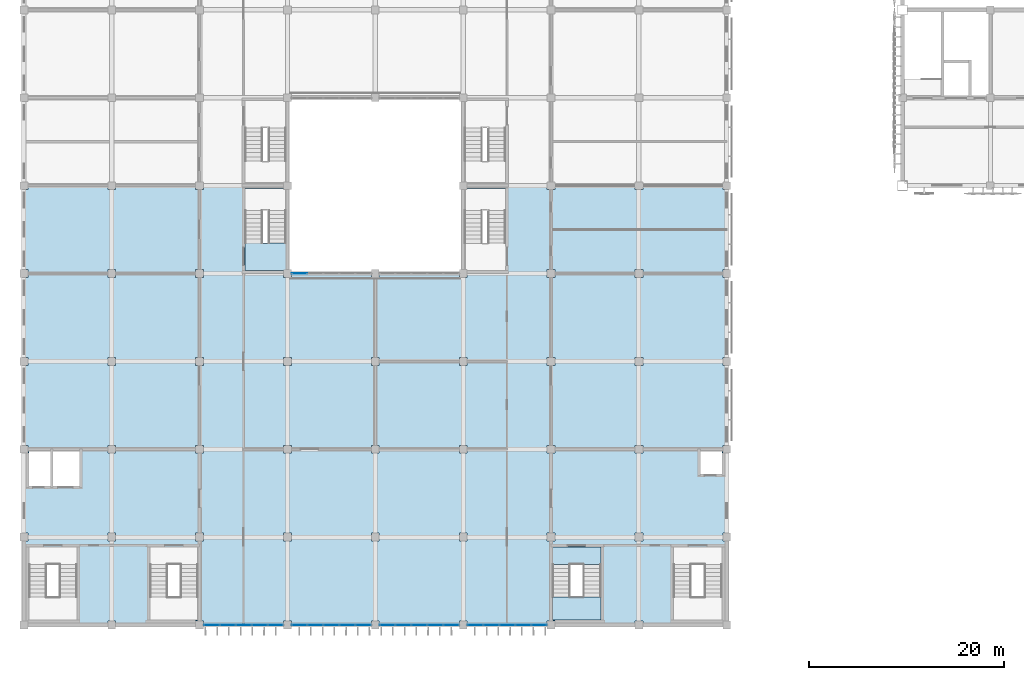
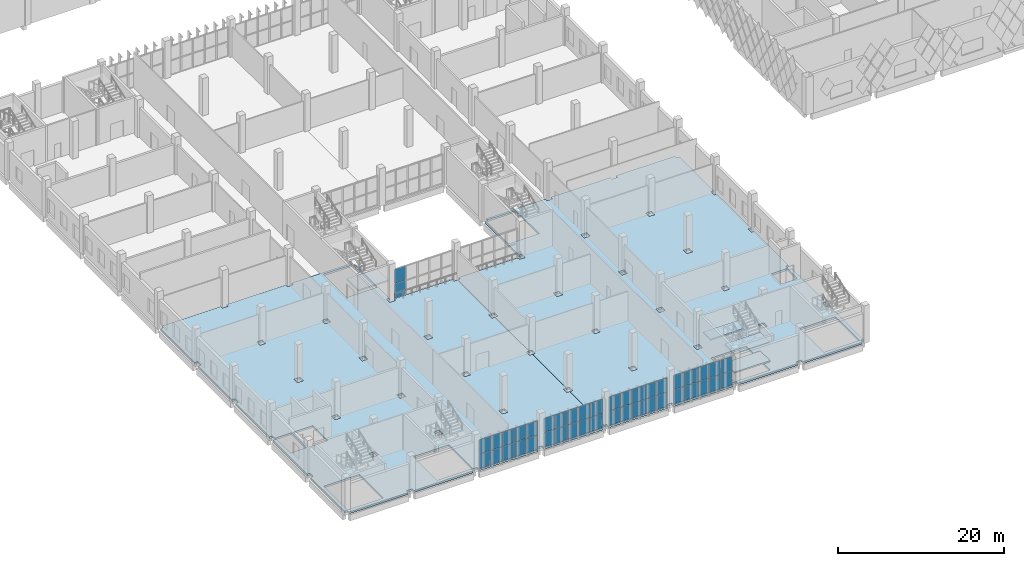
# One storey, part 85 of 185: 42 plates, 6 slabs, 7 elements without a shape of their own.
"""IFC4 building model written with IfcOpenShell, lengths in metres."""

from ifc_helpers import new_model, si_unit, direction, frame, origin, origin_2d, place, context, subcontext, project, spatial, polyline, rectangle, outline, extrude, material, layer, layer_set, type_object, element, aggregate, save


model = new_model("IFC4")

# Units and contexts
model_context = context("Model", 3, precision=1e-05, world=origin(), true_north=direction((0.0, 1.0)))
body_context = subcontext(model_context, "Body", "Model", "MODEL_VIEW")
ifc_project = project(units=[si_unit("LENGTHUNIT", "METRE"), si_unit("AREAUNIT", "SQUARE_METRE"), si_unit("VOLUMEUNIT", "CUBIC_METRE"), si_unit("PLANEANGLEUNIT", "RADIAN"), si_unit("MASSUNIT", "GRAM", prefix="KILO")], contexts=[model_context])

# Site, building, storey
site_placement = place(None, origin())
site = spatial("IfcSite", under=ifc_project, at=site_placement, CompositionType="ELEMENT")
building_placement = place(site_placement, origin())
building = spatial("IfcBuilding", under=site, at=building_placement, Name="Opaline Strait Convention Centre", CompositionType="ELEMENT")
storey_placement = place(building_placement, frame((0.0, 0.0, 6.0)))
storey = spatial("IfcBuildingStorey", under=building, at=storey_placement, Name="L01", CompositionType="ELEMENT", Elevation=6.0)

# Curtain wall, plates
ifc_material_1 = material(Name="Aluminium framed double glazing", Category="aluminium")
ifc_layer_1 = layer(ifc_material_1, 0.199951171875)
ifc_layer_set_1 = layer_set([ifc_layer_1], Name="Aluminium framed double glazing")
curtain_wall_type = type_object("IfcCurtainWallType", Name="Curtain wall 1500 module", PredefinedType="NOTDEFINED", material=ifc_layer_set_1)
curtain_wall_1_placement = place(storey_placement, origin())
curtain_wall_1 = element("IfcCurtainWall", 1, at=curtain_wall_1_placement, inside=storey, type_object=curtain_wall_type, Name="L01 S facade glazing bay 3", PredefinedType="NOTDEFINED")
ifc_material_2 = material(Name="Double glazed unit low emissivity", Category="glass")
ifc_layer_2 = layer(ifc_material_2, 0.028076171875)
ifc_layer_set_2 = layer_set([ifc_layer_2], Name="Double glazed unit low emissivity")
plate_type = type_object("IfcPlateType", Name="Curtain wall glass panel 28", PredefinedType="CURTAIN_PANEL", material=ifc_layer_set_2)
plate_1_placement = place(storey_placement, frame((28.23486328125, 9.0, 0.06005859375), z_axis=(0.0, 0.0, 1.0), x_axis=(1.0, 0.0, 0.0)))
plate_1 = element("IfcPlate", 2, at=plate_1_placement, type_object=plate_type, Name="RCW1 panel 1.1", PredefinedType="CURTAIN_PANEL", context=body_context, shape_type="SweptSolid", body=[
    extrude(rectangle(XDim=1.550048828125, YDim=0.028076171875, at=origin_2d()), origin(), (0.0, 0.0, 1.0), 2.070068359375),
])
plate_2_placement = place(storey_placement, frame((28.23486328125, 9.0, 2.18994140625), z_axis=(0.0, 0.0, 1.0), x_axis=(1.0, 0.0, 0.0)))
plate_2 = element("IfcPlate", 3, at=plate_2_placement, type_object=plate_type, Name="RCW1 panel 1.2", PredefinedType="CURTAIN_PANEL", context=body_context, shape_type="SweptSolid", body=[
    extrude(rectangle(XDim=1.550048828125, YDim=0.028076171875, at=origin_2d()), origin(), (0.0, 0.0, 1.0), 2.070068359375),
])
plate_3_placement = place(storey_placement, frame((29.85986328125, 9.0, 0.06005859375), z_axis=(0.0, 0.0, 1.0), x_axis=(1.0, 0.0, 0.0)))
plate_3 = element("IfcPlate", 4, at=plate_3_placement, type_object=plate_type, Name="RCW1 panel 2.1", PredefinedType="CURTAIN_PANEL", context=body_context, shape_type="SweptSolid", body=[
    extrude(rectangle(XDim=1.580078125, YDim=0.028076171875, at=origin_2d()), origin(), (0.0, 0.0, 1.0), 2.070068359375),
])
plate_4_placement = place(storey_placement, frame((29.85986328125, 9.0, 2.18994140625), z_axis=(0.0, 0.0, 1.0), x_axis=(1.0, 0.0, 0.0)))
plate_4 = element("IfcPlate", 5, at=plate_4_placement, type_object=plate_type, Name="RCW1 panel 2.2", PredefinedType="CURTAIN_PANEL", context=body_context, shape_type="SweptSolid", body=[
    extrude(rectangle(XDim=1.580078125, YDim=0.028076171875, at=origin_2d()), origin(), (0.0, 0.0, 1.0), 2.070068359375),
])
plate_5_placement = place(storey_placement, frame((31.5, 9.0, 0.06005859375), z_axis=(0.0, 0.0, 1.0), x_axis=(1.0, 0.0, 0.0)))
plate_5 = element("IfcPlate", 6, at=plate_5_placement, type_object=plate_type, Name="RCW1 panel 3.1", PredefinedType="CURTAIN_PANEL", context=body_context, shape_type="SweptSolid", body=[
    extrude(rectangle(XDim=1.580078125, YDim=0.028076171875, at=origin_2d()), origin(), (0.0, 0.0, 1.0), 2.070068359375),
])
plate_6_placement = place(storey_placement, frame((31.5, 9.0, 2.18994140625), z_axis=(0.0, 0.0, 1.0), x_axis=(1.0, 0.0, 0.0)))
plate_6 = element("IfcPlate", 7, at=plate_6_placement, type_object=plate_type, Name="RCW1 panel 3.2", PredefinedType="CURTAIN_PANEL", context=body_context, shape_type="SweptSolid", body=[
    extrude(rectangle(XDim=1.580078125, YDim=0.028076171875, at=origin_2d()), origin(), (0.0, 0.0, 1.0), 2.070068359375),
])
plate_7_placement = place(storey_placement, frame((33.14013671875, 9.0, 0.06005859375), z_axis=(0.0, 0.0, 1.0), x_axis=(1.0, 0.0, 0.0)))
plate_7 = element("IfcPlate", 8, at=plate_7_placement, type_object=plate_type, Name="RCW1 panel 4.1", PredefinedType="CURTAIN_PANEL", context=body_context, shape_type="SweptSolid", body=[
    extrude(rectangle(XDim=1.580078125, YDim=0.028076171875, at=origin_2d()), origin(), (0.0, 0.0, 1.0), 2.070068359375),
])
plate_8_placement = place(storey_placement, frame((33.14013671875, 9.0, 2.18994140625), z_axis=(0.0, 0.0, 1.0), x_axis=(1.0, 0.0, 0.0)))
plate_8 = element("IfcPlate", 9, at=plate_8_placement, type_object=plate_type, Name="RCW1 panel 4.2", PredefinedType="CURTAIN_PANEL", context=body_context, shape_type="SweptSolid", body=[
    extrude(rectangle(XDim=1.580078125, YDim=0.028076171875, at=origin_2d()), origin(), (0.0, 0.0, 1.0), 2.070068359375),
])
plate_9_placement = place(storey_placement, frame((34.76513671875, 9.0, 0.06005859375), z_axis=(0.0, 0.0, 1.0), x_axis=(1.0, 0.0, 0.0)))
plate_9 = element("IfcPlate", 10, at=plate_9_placement, type_object=plate_type, Name="RCW1 panel 5.1", PredefinedType="CURTAIN_PANEL", context=body_context, shape_type="SweptSolid", body=[
    extrude(rectangle(XDim=1.550048828125, YDim=0.028076171875, at=origin_2d()), origin(), (0.0, 0.0, 1.0), 2.070068359375),
])
plate_10_placement = place(storey_placement, frame((34.76513671875, 9.0, 2.18994140625), z_axis=(0.0, 0.0, 1.0), x_axis=(1.0, 0.0, 0.0)))
plate_10 = element("IfcPlate", 11, at=plate_10_placement, type_object=plate_type, Name="RCW1 panel 5.2", PredefinedType="CURTAIN_PANEL", context=body_context, shape_type="SweptSolid", body=[
    extrude(rectangle(XDim=1.550048828125, YDim=0.028076171875, at=origin_2d()), origin(), (0.0, 0.0, 1.0), 2.070068359375),
])
aggregate(curtain_wall_1, [plate_1, plate_2, plate_3, plate_4, plate_5, plate_6, plate_7, plate_8, plate_9, plate_10])

curtain_wall_2_placement = place(storey_placement, origin())
curtain_wall_2 = element("IfcCurtainWall", 12, at=curtain_wall_2_placement, inside=storey, type_object=curtain_wall_type, Name="L01 S facade glazing bay 4", PredefinedType="NOTDEFINED")
plate_11_placement = place(storey_placement, frame((37.23486328125, 9.0, 0.06005859375), z_axis=(0.0, 0.0, 1.0), x_axis=(1.0, 0.0, 0.0)))
plate_11 = element("IfcPlate", 13, at=plate_11_placement, type_object=plate_type, Name="RCW1 panel 1.1", PredefinedType="CURTAIN_PANEL", context=body_context, shape_type="SweptSolid", body=[
    extrude(rectangle(XDim=1.550048828125, YDim=0.028076171875, at=origin_2d()), origin(), (0.0, 0.0, 1.0), 2.070068359375),
])
plate_12_placement = place(storey_placement, frame((37.23486328125, 9.0, 2.18994140625), z_axis=(0.0, 0.0, 1.0), x_axis=(1.0, 0.0, 0.0)))
plate_12 = element("IfcPlate", 14, at=plate_12_placement, type_object=plate_type, Name="RCW1 panel 1.2", PredefinedType="CURTAIN_PANEL", context=body_context, shape_type="SweptSolid", body=[
    extrude(rectangle(XDim=1.550048828125, YDim=0.028076171875, at=origin_2d()), origin(), (0.0, 0.0, 1.0), 2.070068359375),
])
plate_13_placement = place(storey_placement, frame((38.85986328125, 9.0, 0.06005859375), z_axis=(0.0, 0.0, 1.0), x_axis=(1.0, 0.0, 0.0)))
plate_13 = element("IfcPlate", 15, at=plate_13_placement, type_object=plate_type, Name="RCW1 panel 2.1", PredefinedType="CURTAIN_PANEL", context=body_context, shape_type="SweptSolid", body=[
    extrude(rectangle(XDim=1.580078125, YDim=0.028076171875, at=origin_2d()), origin(), (0.0, 0.0, 1.0), 2.070068359375),
])
plate_14_placement = place(storey_placement, frame((38.85986328125, 9.0, 2.18994140625), z_axis=(0.0, 0.0, 1.0), x_axis=(1.0, 0.0, 0.0)))
plate_14 = element("IfcPlate", 16, at=plate_14_placement, type_object=plate_type, Name="RCW1 panel 2.2", PredefinedType="CURTAIN_PANEL", context=body_context, shape_type="SweptSolid", body=[
    extrude(rectangle(XDim=1.580078125, YDim=0.028076171875, at=origin_2d()), origin(), (0.0, 0.0, 1.0), 2.070068359375),
])
plate_15_placement = place(storey_placement, frame((40.5, 9.0, 0.06005859375), z_axis=(0.0, 0.0, 1.0), x_axis=(1.0, 0.0, 0.0)))
plate_15 = element("IfcPlate", 17, at=plate_15_placement, type_object=plate_type, Name="RCW1 panel 3.1", PredefinedType="CURTAIN_PANEL", context=body_context, shape_type="SweptSolid", body=[
    extrude(rectangle(XDim=1.580078125, YDim=0.028076171875, at=origin_2d()), origin(), (0.0, 0.0, 1.0), 2.070068359375),
])
plate_16_placement = place(storey_placement, frame((40.5, 9.0, 2.18994140625), z_axis=(0.0, 0.0, 1.0), x_axis=(1.0, 0.0, 0.0)))
plate_16 = element("IfcPlate", 18, at=plate_16_placement, type_object=plate_type, Name="RCW1 panel 3.2", PredefinedType="CURTAIN_PANEL", context=body_context, shape_type="SweptSolid", body=[
    extrude(rectangle(XDim=1.580078125, YDim=0.028076171875, at=origin_2d()), origin(), (0.0, 0.0, 1.0), 2.070068359375),
])
plate_17_placement = place(storey_placement, frame((42.14013671875, 9.0, 0.06005859375), z_axis=(0.0, 0.0, 1.0), x_axis=(1.0, 0.0, 0.0)))
plate_17 = element("IfcPlate", 19, at=plate_17_placement, type_object=plate_type, Name="RCW1 panel 4.1", PredefinedType="CURTAIN_PANEL", context=body_context, shape_type="SweptSolid", body=[
    extrude(rectangle(XDim=1.580078125, YDim=0.028076171875, at=origin_2d()), origin(), (0.0, 0.0, 1.0), 2.070068359375),
])
plate_18_placement = place(storey_placement, frame((42.14013671875, 9.0, 2.18994140625), z_axis=(0.0, 0.0, 1.0), x_axis=(1.0, 0.0, 0.0)))
plate_18 = element("IfcPlate", 20, at=plate_18_placement, type_object=plate_type, Name="RCW1 panel 4.2", PredefinedType="CURTAIN_PANEL", context=body_context, shape_type="SweptSolid", body=[
    extrude(rectangle(XDim=1.580078125, YDim=0.028076171875, at=origin_2d()), origin(), (0.0, 0.0, 1.0), 2.070068359375),
])
plate_19_placement = place(storey_placement, frame((43.76513671875, 9.0, 0.06005859375), z_axis=(0.0, 0.0, 1.0), x_axis=(1.0, 0.0, 0.0)))
plate_19 = element("IfcPlate", 21, at=plate_19_placement, type_object=plate_type, Name="RCW1 panel 5.1", PredefinedType="CURTAIN_PANEL", context=body_context, shape_type="SweptSolid", body=[
    extrude(rectangle(XDim=1.550048828125, YDim=0.028076171875, at=origin_2d()), origin(), (0.0, 0.0, 1.0), 2.070068359375),
])
plate_20_placement = place(storey_placement, frame((43.76513671875, 9.0, 2.18994140625), z_axis=(0.0, 0.0, 1.0), x_axis=(1.0, 0.0, 0.0)))
plate_20 = element("IfcPlate", 22, at=plate_20_placement, type_object=plate_type, Name="RCW1 panel 5.2", PredefinedType="CURTAIN_PANEL", context=body_context, shape_type="SweptSolid", body=[
    extrude(rectangle(XDim=1.550048828125, YDim=0.028076171875, at=origin_2d()), origin(), (0.0, 0.0, 1.0), 2.070068359375),
])
aggregate(curtain_wall_2, [plate_11, plate_12, plate_13, plate_14, plate_15, plate_16, plate_17, plate_18, plate_19, plate_20])

curtain_wall_3_placement = place(storey_placement, origin())
curtain_wall_3 = element("IfcCurtainWall", 23, at=curtain_wall_3_placement, inside=storey, type_object=curtain_wall_type, Name="L01 S facade glazing bay 5", PredefinedType="NOTDEFINED")
plate_21_placement = place(storey_placement, frame((46.23486328125, 9.0, 0.06005859375), z_axis=(0.0, 0.0, 1.0), x_axis=(1.0, 0.0, 0.0)))
plate_21 = element("IfcPlate", 24, at=plate_21_placement, type_object=plate_type, Name="RCW1 panel 1.1", PredefinedType="CURTAIN_PANEL", context=body_context, shape_type="SweptSolid", body=[
    extrude(rectangle(XDim=1.550048828125, YDim=0.028076171875, at=origin_2d()), origin(), (0.0, 0.0, 1.0), 2.070068359375),
])
plate_22_placement = place(storey_placement, frame((46.23486328125, 9.0, 2.18994140625), z_axis=(0.0, 0.0, 1.0), x_axis=(1.0, 0.0, 0.0)))
plate_22 = element("IfcPlate", 25, at=plate_22_placement, type_object=plate_type, Name="RCW1 panel 1.2", PredefinedType="CURTAIN_PANEL", context=body_context, shape_type="SweptSolid", body=[
    extrude(rectangle(XDim=1.550048828125, YDim=0.028076171875, at=origin_2d()), origin(), (0.0, 0.0, 1.0), 2.070068359375),
])
plate_23_placement = place(storey_placement, frame((47.85986328125, 9.0, 0.06005859375), z_axis=(0.0, 0.0, 1.0), x_axis=(1.0, 0.0, 0.0)))
plate_23 = element("IfcPlate", 26, at=plate_23_placement, type_object=plate_type, Name="RCW1 panel 2.1", PredefinedType="CURTAIN_PANEL", context=body_context, shape_type="SweptSolid", body=[
    extrude(rectangle(XDim=1.580078125, YDim=0.028076171875, at=origin_2d()), origin(), (0.0, 0.0, 1.0), 2.070068359375),
])
plate_24_placement = place(storey_placement, frame((47.85986328125, 9.0, 2.18994140625), z_axis=(0.0, 0.0, 1.0), x_axis=(1.0, 0.0, 0.0)))
plate_24 = element("IfcPlate", 27, at=plate_24_placement, type_object=plate_type, Name="RCW1 panel 2.2", PredefinedType="CURTAIN_PANEL", context=body_context, shape_type="SweptSolid", body=[
    extrude(rectangle(XDim=1.580078125, YDim=0.028076171875, at=origin_2d()), origin(), (0.0, 0.0, 1.0), 2.070068359375),
])
plate_25_placement = place(storey_placement, frame((49.5, 9.0, 0.06005859375), z_axis=(0.0, 0.0, 1.0), x_axis=(1.0, 0.0, 0.0)))
plate_25 = element("IfcPlate", 28, at=plate_25_placement, type_object=plate_type, Name="RCW1 panel 3.1", PredefinedType="CURTAIN_PANEL", context=body_context, shape_type="SweptSolid", body=[
    extrude(rectangle(XDim=1.580078125, YDim=0.028076171875, at=origin_2d()), origin(), (0.0, 0.0, 1.0), 2.070068359375),
])
plate_26_placement = place(storey_placement, frame((49.5, 9.0, 2.18994140625), z_axis=(0.0, 0.0, 1.0), x_axis=(1.0, 0.0, 0.0)))
plate_26 = element("IfcPlate", 29, at=plate_26_placement, type_object=plate_type, Name="RCW1 panel 3.2", PredefinedType="CURTAIN_PANEL", context=body_context, shape_type="SweptSolid", body=[
    extrude(rectangle(XDim=1.580078125, YDim=0.028076171875, at=origin_2d()), origin(), (0.0, 0.0, 1.0), 2.070068359375),
])
plate_27_placement = place(storey_placement, frame((51.14013671875, 9.0, 0.06005859375), z_axis=(0.0, 0.0, 1.0), x_axis=(1.0, 0.0, 0.0)))
plate_27 = element("IfcPlate", 30, at=plate_27_placement, type_object=plate_type, Name="RCW1 panel 4.1", PredefinedType="CURTAIN_PANEL", context=body_context, shape_type="SweptSolid", body=[
    extrude(rectangle(XDim=1.580078125, YDim=0.028076171875, at=origin_2d()), origin(), (0.0, 0.0, 1.0), 2.070068359375),
])
plate_28_placement = place(storey_placement, frame((51.14013671875, 9.0, 2.18994140625), z_axis=(0.0, 0.0, 1.0), x_axis=(1.0, 0.0, 0.0)))
plate_28 = element("IfcPlate", 31, at=plate_28_placement, type_object=plate_type, Name="RCW1 panel 4.2", PredefinedType="CURTAIN_PANEL", context=body_context, shape_type="SweptSolid", body=[
    extrude(rectangle(XDim=1.580078125, YDim=0.028076171875, at=origin_2d()), origin(), (0.0, 0.0, 1.0), 2.070068359375),
])
plate_29_placement = place(storey_placement, frame((52.76513671875, 9.0, 0.06005859375), z_axis=(0.0, 0.0, 1.0), x_axis=(1.0, 0.0, 0.0)))
plate_29 = element("IfcPlate", 32, at=plate_29_placement, type_object=plate_type, Name="RCW1 panel 5.1", PredefinedType="CURTAIN_PANEL", context=body_context, shape_type="SweptSolid", body=[
    extrude(rectangle(XDim=1.550048828125, YDim=0.028076171875, at=origin_2d()), origin(), (0.0, 0.0, 1.0), 2.070068359375),
])
plate_30_placement = place(storey_placement, frame((52.76513671875, 9.0, 2.18994140625), z_axis=(0.0, 0.0, 1.0), x_axis=(1.0, 0.0, 0.0)))
plate_30 = element("IfcPlate", 33, at=plate_30_placement, type_object=plate_type, Name="RCW1 panel 5.2", PredefinedType="CURTAIN_PANEL", context=body_context, shape_type="SweptSolid", body=[
    extrude(rectangle(XDim=1.550048828125, YDim=0.028076171875, at=origin_2d()), origin(), (0.0, 0.0, 1.0), 2.070068359375),
])
aggregate(curtain_wall_3, [plate_21, plate_22, plate_23, plate_24, plate_25, plate_26, plate_27, plate_28, plate_29, plate_30])

curtain_wall_4_placement = place(storey_placement, origin())
curtain_wall_4 = element("IfcCurtainWall", 34, at=curtain_wall_4_placement, inside=storey, type_object=curtain_wall_type, Name="L01 S facade glazing bay 6", PredefinedType="NOTDEFINED")
plate_31_placement = place(storey_placement, frame((55.23486328125, 9.0, 0.06005859375), z_axis=(0.0, 0.0, 1.0), x_axis=(1.0, 0.0, 0.0)))
plate_31 = element("IfcPlate", 35, at=plate_31_placement, type_object=plate_type, Name="RCW1 panel 1.1", PredefinedType="CURTAIN_PANEL", context=body_context, shape_type="SweptSolid", body=[
    extrude(rectangle(XDim=1.550048828125, YDim=0.028076171875, at=origin_2d()), origin(), (0.0, 0.0, 1.0), 2.070068359375),
])
plate_32_placement = place(storey_placement, frame((55.23486328125, 9.0, 2.18994140625), z_axis=(0.0, 0.0, 1.0), x_axis=(1.0, 0.0, 0.0)))
plate_32 = element("IfcPlate", 36, at=plate_32_placement, type_object=plate_type, Name="RCW1 panel 1.2", PredefinedType="CURTAIN_PANEL", context=body_context, shape_type="SweptSolid", body=[
    extrude(rectangle(XDim=1.550048828125, YDim=0.028076171875, at=origin_2d()), origin(), (0.0, 0.0, 1.0), 2.070068359375),
])
plate_33_placement = place(storey_placement, frame((56.85986328125, 9.0, 0.06005859375), z_axis=(0.0, 0.0, 1.0), x_axis=(1.0, 0.0, 0.0)))
plate_33 = element("IfcPlate", 37, at=plate_33_placement, type_object=plate_type, Name="RCW1 panel 2.1", PredefinedType="CURTAIN_PANEL", context=body_context, shape_type="SweptSolid", body=[
    extrude(rectangle(XDim=1.580078125, YDim=0.028076171875, at=origin_2d()), origin(), (0.0, 0.0, 1.0), 2.070068359375),
])
plate_34_placement = place(storey_placement, frame((56.85986328125, 9.0, 2.18994140625), z_axis=(0.0, 0.0, 1.0), x_axis=(1.0, 0.0, 0.0)))
plate_34 = element("IfcPlate", 38, at=plate_34_placement, type_object=plate_type, Name="RCW1 panel 2.2", PredefinedType="CURTAIN_PANEL", context=body_context, shape_type="SweptSolid", body=[
    extrude(rectangle(XDim=1.580078125, YDim=0.028076171875, at=origin_2d()), origin(), (0.0, 0.0, 1.0), 2.070068359375),
])
plate_35_placement = place(storey_placement, frame((58.5, 9.0, 0.06005859375), z_axis=(0.0, 0.0, 1.0), x_axis=(1.0, 0.0, 0.0)))
plate_35 = element("IfcPlate", 39, at=plate_35_placement, type_object=plate_type, Name="RCW1 panel 3.1", PredefinedType="CURTAIN_PANEL", context=body_context, shape_type="SweptSolid", body=[
    extrude(rectangle(XDim=1.580078125, YDim=0.028076171875, at=origin_2d()), origin(), (0.0, 0.0, 1.0), 2.070068359375),
])
plate_36_placement = place(storey_placement, frame((58.5, 9.0, 2.18994140625), z_axis=(0.0, 0.0, 1.0), x_axis=(1.0, 0.0, 0.0)))
plate_36 = element("IfcPlate", 40, at=plate_36_placement, type_object=plate_type, Name="RCW1 panel 3.2", PredefinedType="CURTAIN_PANEL", context=body_context, shape_type="SweptSolid", body=[
    extrude(rectangle(XDim=1.580078125, YDim=0.028076171875, at=origin_2d()), origin(), (0.0, 0.0, 1.0), 2.070068359375),
])
plate_37_placement = place(storey_placement, frame((60.14013671875, 9.0, 0.06005859375), z_axis=(0.0, 0.0, 1.0), x_axis=(1.0, 0.0, 0.0)))
plate_37 = element("IfcPlate", 41, at=plate_37_placement, type_object=plate_type, Name="RCW1 panel 4.1", PredefinedType="CURTAIN_PANEL", context=body_context, shape_type="SweptSolid", body=[
    extrude(rectangle(XDim=1.580078125, YDim=0.028076171875, at=origin_2d()), origin(), (0.0, 0.0, 1.0), 2.070068359375),
])
plate_38_placement = place(storey_placement, frame((60.14013671875, 9.0, 2.18994140625), z_axis=(0.0, 0.0, 1.0), x_axis=(1.0, 0.0, 0.0)))
plate_38 = element("IfcPlate", 42, at=plate_38_placement, type_object=plate_type, Name="RCW1 panel 4.2", PredefinedType="CURTAIN_PANEL", context=body_context, shape_type="SweptSolid", body=[
    extrude(rectangle(XDim=1.580078125, YDim=0.028076171875, at=origin_2d()), origin(), (0.0, 0.0, 1.0), 2.070068359375),
])
plate_39_placement = place(storey_placement, frame((61.76513671875, 9.0, 0.06005859375), z_axis=(0.0, 0.0, 1.0), x_axis=(1.0, 0.0, 0.0)))
plate_39 = element("IfcPlate", 43, at=plate_39_placement, type_object=plate_type, Name="RCW1 panel 5.1", PredefinedType="CURTAIN_PANEL", context=body_context, shape_type="SweptSolid", body=[
    extrude(rectangle(XDim=1.550048828125, YDim=0.028076171875, at=origin_2d()), origin(), (0.0, 0.0, 1.0), 2.070068359375),
])
plate_40_placement = place(storey_placement, frame((61.76513671875, 9.0, 2.18994140625), z_axis=(0.0, 0.0, 1.0), x_axis=(1.0, 0.0, 0.0)))
plate_40 = element("IfcPlate", 44, at=plate_40_placement, type_object=plate_type, Name="RCW1 panel 5.2", PredefinedType="CURTAIN_PANEL", context=body_context, shape_type="SweptSolid", body=[
    extrude(rectangle(XDim=1.550048828125, YDim=0.028076171875, at=origin_2d()), origin(), (0.0, 0.0, 1.0), 2.070068359375),
])
aggregate(curtain_wall_4, [plate_31, plate_32, plate_33, plate_34, plate_35, plate_36, plate_37, plate_38, plate_39, plate_40])

curtain_wall_5_placement = place(storey_placement, origin())
curtain_wall_5 = element("IfcCurtainWall", 45, at=curtain_wall_5_placement, inside=storey, type_object=curtain_wall_type, Name="L01 court glazing Sc 1", PredefinedType="NOTDEFINED")
plate_41_placement = place(storey_placement, frame((37.23486328125, 45.0, 0.06005859375), z_axis=(0.0, 0.0, 1.0), x_axis=(1.0, 0.0, 0.0)))
plate_41 = element("IfcPlate", 46, at=plate_41_placement, type_object=plate_type, Name="RCW1 panel 1.1", PredefinedType="CURTAIN_PANEL", context=body_context, shape_type="SweptSolid", body=[
    extrude(rectangle(XDim=1.550048828125, YDim=0.028076171875, at=origin_2d()), origin(), (0.0, 0.0, 1.0), 2.070068359375),
])
plate_42_placement = place(storey_placement, frame((37.23486328125, 45.0, 2.18994140625), z_axis=(0.0, 0.0, 1.0), x_axis=(1.0, 0.0, 0.0)))
plate_42 = element("IfcPlate", 47, at=plate_42_placement, type_object=plate_type, Name="RCW1 panel 1.2", PredefinedType="CURTAIN_PANEL", context=body_context, shape_type="SweptSolid", body=[
    extrude(rectangle(XDim=1.550048828125, YDim=0.028076171875, at=origin_2d()), origin(), (0.0, 0.0, 1.0), 2.070068359375),
])
aggregate(curtain_wall_5, [plate_41, plate_42])

# Slabs
ifc_material_3 = material(Name="Concrete C35", Category="concrete")
ifc_layer_3 = layer(ifc_material_3, 0.280029296875)
ifc_layer_set_3 = layer_set([ifc_layer_3], Name="Concrete C35")
slab_type_1 = type_object("IfcSlabType", Name="RC floor slab 280 C35", PredefinedType="FLOOR", material=ifc_layer_set_3)
slab_1_placement = place(storey_placement, frame((0.0, 0.0, -0.280029296875)))
element("IfcSlab", 48, at=slab_1_placement, inside=storey, type_object=slab_type_1, Name="XS2 slab L01 pour SW1", PredefinedType="FLOOR", context=body_context, shape_type="SweptSolid", body=[
    extrude(outline(polyline([(9.39990234375, 17.60009765625), (9.39990234375, 18.39990234375), (9.0, 18.39990234375), (9.0, 26.60009765625), (9.39990234375, 26.60009765625), (9.39990234375, 27.39990234375), (9.0, 27.39990234375), (9.0, 35.60009765625), (9.39990234375, 35.60009765625), (9.39990234375, 36.39990234375), (9.0, 36.39990234375), (9.0, 44.60009765625), (9.39990234375, 44.60009765625), (9.39990234375, 45.39990234375), (9.0, 45.39990234375), (9.0, 53.60009765625), (9.39990234375, 53.60009765625), (9.39990234375, 54.0), (17.60009765625, 54.0), (17.60009765625, 53.60009765625), (18.39990234375, 53.60009765625), (18.39990234375, 54.0), (26.60009765625, 54.0), (26.60009765625, 53.60009765625), (27.39990234375, 53.60009765625), (27.39990234375, 54.0), (35.60009765625, 54.0), (35.60009765625, 53.699951171875), (31.64990234375, 53.699951171875), (31.64990234375, 48.100830078125), (35.85009765625, 48.100830078125), (35.85009765625, 53.60009765625), (36.0, 53.60009765625), (36.0, 45.39990234375), (35.60009765625, 45.39990234375), (35.60009765625, 44.60009765625), (36.39990234375, 44.60009765625), (36.39990234375, 45.0), (44.60009765625, 45.0), (44.60009765625, 44.60009765625), (45.0, 44.60009765625), (45.0, 36.39990234375), (44.60009765625, 36.39990234375), (44.60009765625, 35.60009765625), (45.0, 35.60009765625), (45.0, 27.39990234375), (44.60009765625, 27.39990234375), (44.60009765625, 26.60009765625), (45.0, 26.60009765625), (45.0, 18.39990234375), (44.60009765625, 18.39990234375), (44.60009765625, 17.60009765625), (45.0, 17.60009765625), (45.0, 9.39990234375), (44.60009765625, 9.39990234375), (44.60009765625, 9.0), (36.39990234375, 9.0), (36.39990234375, 9.39990234375), (35.60009765625, 9.39990234375), (35.60009765625, 9.0), (27.39990234375, 9.0), (27.39990234375, 9.39990234375), (26.60009765625, 9.39990234375), (26.60009765625, 9.0), (18.39990234375, 9.0), (18.39990234375, 9.39990234375), (17.60009765625, 9.39990234375), (17.60009765625, 9.0), (9.39990234375, 9.0), (9.39990234375, 9.39990234375), (9.0, 9.39990234375), (9.0, 17.60009765625), (9.39990234375, 17.60009765625)]), holes=[polyline([(21.89990234375, 9.5), (26.85009765625, 9.5), (26.85009765625, 15.19921875), (21.89990234375, 15.19921875), (21.89990234375, 9.5)]), polyline([(9.5, 9.5), (14.449951171875, 9.5), (14.449951171875, 15.19921875), (9.5, 15.19921875), (9.5, 9.5)]), polyline([(17.60009765625, 17.60009765625), (18.39990234375, 17.60009765625), (18.39990234375, 18.39990234375), (17.60009765625, 18.39990234375), (17.60009765625, 17.60009765625)]), polyline([(12.0, 23.25), (14.699951171875, 23.25), (14.699951171875, 26.85009765625), (12.0, 26.85009765625), (12.0, 23.25)]), polyline([(11.699951171875, 23.25), (11.699951171875, 26.85009765625), (9.5, 26.85009765625), (9.5, 23.25), (11.699951171875, 23.25)]), polyline([(17.60009765625, 26.60009765625), (18.39990234375, 26.60009765625), (18.39990234375, 27.39990234375), (17.60009765625, 27.39990234375), (17.60009765625, 26.60009765625)]), polyline([(17.60009765625, 35.60009765625), (18.39990234375, 35.60009765625), (18.39990234375, 36.39990234375), (17.60009765625, 36.39990234375), (17.60009765625, 35.60009765625)]), polyline([(17.60009765625, 44.60009765625), (18.39990234375, 44.60009765625), (18.39990234375, 45.39990234375), (17.60009765625, 45.39990234375), (17.60009765625, 44.60009765625)]), polyline([(26.60009765625, 17.60009765625), (27.39990234375, 17.60009765625), (27.39990234375, 18.39990234375), (26.60009765625, 18.39990234375), (26.60009765625, 17.60009765625)]), polyline([(35.60009765625, 17.60009765625), (36.39990234375, 17.60009765625), (36.39990234375, 18.39990234375), (35.60009765625, 18.39990234375), (35.60009765625, 17.60009765625)]), polyline([(27.39990234375, 26.60009765625), (27.39990234375, 27.39990234375), (26.60009765625, 27.39990234375), (26.60009765625, 26.60009765625), (27.39990234375, 26.60009765625)]), polyline([(35.60009765625, 26.60009765625), (36.39990234375, 26.60009765625), (36.39990234375, 27.39990234375), (35.60009765625, 27.39990234375), (35.60009765625, 26.60009765625)]), polyline([(35.60009765625, 35.60009765625), (36.39990234375, 35.60009765625), (36.39990234375, 36.39990234375), (35.60009765625, 36.39990234375), (35.60009765625, 35.60009765625)]), polyline([(26.60009765625, 35.60009765625), (27.39990234375, 35.60009765625), (27.39990234375, 36.39990234375), (26.60009765625, 36.39990234375), (26.60009765625, 35.60009765625)]), polyline([(26.60009765625, 44.60009765625), (27.39990234375, 44.60009765625), (27.39990234375, 45.39990234375), (26.60009765625, 45.39990234375), (26.60009765625, 44.60009765625)])]), origin(), (0.0, 0.0, 1.0), 0.280029296875),
])
slab_2_placement = place(storey_placement, frame((0.0, 0.0, -0.280029296875)))
element("IfcSlab", 49, at=slab_2_placement, inside=storey, type_object=slab_type_1, Name="XS2 slab L01 pour SE1", PredefinedType="FLOOR", context=body_context, shape_type="SweptSolid", body=[
    extrude(outline(polyline([(80.60009765625, 53.60009765625), (81.0, 53.60009765625), (81.0, 45.39990234375), (80.60009765625, 45.39990234375), (80.60009765625, 44.60009765625), (81.0, 44.60009765625), (81.0, 36.39990234375), (80.60009765625, 36.39990234375), (80.60009765625, 35.60009765625), (81.0, 35.60009765625), (81.0, 27.39990234375), (80.60009765625, 27.39990234375), (80.60009765625, 26.60009765625), (81.0, 26.60009765625), (81.0, 18.39990234375), (80.60009765625, 18.39990234375), (80.60009765625, 17.60009765625), (81.0, 17.60009765625), (81.0, 9.39990234375), (80.60009765625, 9.39990234375), (80.60009765625, 9.0), (72.39990234375, 9.0), (72.39990234375, 9.39990234375), (71.60009765625, 9.39990234375), (71.60009765625, 9.0), (63.39990234375, 9.0), (63.39990234375, 9.39990234375), (62.60009765625, 9.39990234375), (62.60009765625, 9.0), (54.39990234375, 9.0), (54.39990234375, 9.39990234375), (53.60009765625, 9.39990234375), (53.60009765625, 9.0), (45.39990234375, 9.0), (45.39990234375, 9.39990234375), (45.0, 9.39990234375), (45.0, 17.60009765625), (45.39990234375, 17.60009765625), (45.39990234375, 18.39990234375), (45.0, 18.39990234375), (45.0, 26.60009765625), (45.39990234375, 26.60009765625), (45.39990234375, 27.39990234375), (45.0, 27.39990234375), (45.0, 35.60009765625), (45.39990234375, 35.60009765625), (45.39990234375, 36.39990234375), (45.0, 36.39990234375), (45.0, 44.60009765625), (45.39990234375, 44.60009765625), (45.39990234375, 45.0), (53.60009765625, 45.0), (53.60009765625, 44.60009765625), (54.39990234375, 44.60009765625), (54.39990234375, 45.39990234375), (54.0, 45.39990234375), (54.0, 53.60009765625), (54.14990234375, 53.60009765625), (54.14990234375, 48.100830078125), (58.35009765625, 48.100830078125), (58.35009765625, 53.699951171875), (54.39990234375, 53.699951171875), (54.39990234375, 54.0), (62.60009765625, 54.0), (62.60009765625, 53.60009765625), (63.39990234375, 53.60009765625), (63.39990234375, 54.0), (71.60009765625, 54.0), (71.60009765625, 53.60009765625), (72.39990234375, 53.60009765625), (72.39990234375, 54.0), (80.60009765625, 54.0), (80.60009765625, 53.60009765625)]), holes=[polyline([(62.60009765625, 17.60009765625), (63.39990234375, 17.60009765625), (63.39990234375, 18.39990234375), (62.60009765625, 18.39990234375), (62.60009765625, 17.60009765625)]), polyline([(53.60009765625, 17.60009765625), (54.39990234375, 17.60009765625), (54.39990234375, 18.39990234375), (53.60009765625, 18.39990234375), (53.60009765625, 17.60009765625)]), polyline([(62.60009765625, 26.60009765625), (63.39990234375, 26.60009765625), (63.39990234375, 27.39990234375), (62.60009765625, 27.39990234375), (62.60009765625, 26.60009765625)]), polyline([(53.60009765625, 26.60009765625), (54.39990234375, 26.60009765625), (54.39990234375, 27.39990234375), (53.60009765625, 27.39990234375), (53.60009765625, 26.60009765625)]), polyline([(62.60009765625, 35.60009765625), (63.39990234375, 35.60009765625), (63.39990234375, 36.39990234375), (62.60009765625, 36.39990234375), (62.60009765625, 35.60009765625)]), polyline([(54.39990234375, 35.60009765625), (54.39990234375, 36.39990234375), (53.60009765625, 36.39990234375), (53.60009765625, 35.60009765625), (54.39990234375, 35.60009765625)]), polyline([(62.60009765625, 44.60009765625), (63.39990234375, 44.60009765625), (63.39990234375, 45.39990234375), (62.60009765625, 45.39990234375), (62.60009765625, 44.60009765625)]), polyline([(75.550048828125, 9.5), (80.5, 9.5), (80.5, 15.19921875), (75.550048828125, 15.19921875), (75.550048828125, 9.5)]), polyline([(63.14990234375, 9.5), (68.10009765625, 9.5), (68.10009765625, 15.19921875), (63.14990234375, 15.19921875), (63.14990234375, 9.5)]), polyline([(71.60009765625, 17.60009765625), (72.39990234375, 17.60009765625), (72.39990234375, 18.39990234375), (71.60009765625, 18.39990234375), (71.60009765625, 17.60009765625)]), polyline([(78.300048828125, 24.449951171875), (80.5, 24.449951171875), (80.5, 26.85009765625), (78.300048828125, 26.85009765625), (78.300048828125, 24.449951171875)]), polyline([(71.60009765625, 26.60009765625), (72.39990234375, 26.60009765625), (72.39990234375, 27.39990234375), (71.60009765625, 27.39990234375), (71.60009765625, 26.60009765625)]), polyline([(71.60009765625, 35.60009765625), (72.39990234375, 35.60009765625), (72.39990234375, 36.39990234375), (71.60009765625, 36.39990234375), (71.60009765625, 35.60009765625)]), polyline([(71.60009765625, 44.60009765625), (72.39990234375, 44.60009765625), (72.39990234375, 45.39990234375), (71.60009765625, 45.39990234375), (71.60009765625, 44.60009765625)])]), origin(), (0.0, 0.0, 1.0), 0.280029296875),
])

# Stair, slabs
ifc_material_4 = material(Name="Concrete C40", Category="concrete")
stair_type = type_object("IfcStairType", Name="Exit stair two flights 1800 C40", PredefinedType="HALF_TURN_STAIR", material=ifc_material_4)
stair_1_placement = place(storey_placement, origin())
stair_1 = element("IfcStair", 50, at=stair_1_placement, inside=storey, type_object=stair_type, Name="L01 SEB", ObjectType="RST1", PredefinedType="HALF_TURN_STAIR")
ifc_layer_4 = layer(ifc_material_4, 0.199951171875)
ifc_layer_set_4 = layer_set([ifc_layer_4], Name="Concrete C40")
slab_type_2 = type_object("IfcSlabType", Name="Stair landing 200 C40", PredefinedType="LANDING", material=ifc_layer_set_4)
slab_3_placement = place(storey_placement, frame((0.0, 0.0, 1.175048828125)))
slab_3 = element("IfcSlab", 51, at=slab_3_placement, type_object=slab_type_2, Name="SEB landing 1", ObjectType="RSL1", PredefinedType="LANDING", context=body_context, shape_type="SweptSolid", body=[
    extrude(outline(polyline([(63.14990234375, 11.840087890625), (63.14990234375, 9.5), (68.10009765625, 9.5), (68.10009765625, 11.840087890625), (63.14990234375, 11.840087890625)])), origin(), (0.0, 0.0, 1.0), 0.199951171875),
])
slab_4_placement = place(storey_placement, frame((0.0, 0.0, 2.550048828125)))
slab_4 = element("IfcSlab", 52, at=slab_4_placement, type_object=slab_type_2, Name="SEB landing 2", ObjectType="RSL1", PredefinedType="LANDING", context=body_context, shape_type="SweptSolid", body=[
    extrude(outline(polyline([(63.14990234375, 17.0), (63.14990234375, 15.199951171875), (68.10009765625, 15.199951171875), (68.10009765625, 17.0), (63.14990234375, 17.0)])), origin(), (0.0, 0.0, 1.0), 0.199951171875),
])
slab_5_placement = place(storey_placement, frame((0.0, 0.0, 3.925048828125)))
slab_5 = element("IfcSlab", 53, at=slab_5_placement, type_object=slab_type_2, Name="SEB landing 3", ObjectType="RSL1", PredefinedType="LANDING", context=body_context, shape_type="SweptSolid", body=[
    extrude(outline(polyline([(63.14990234375, 11.840087890625), (63.14990234375, 9.5), (68.10009765625, 9.5), (68.10009765625, 11.840087890625), (63.14990234375, 11.840087890625)])), origin(), (0.0, 0.0, 1.0), 0.199951171875),
])
aggregate(stair_1, [slab_3, slab_4, slab_5])

# Stair, slab
stair_2_placement = place(storey_placement, origin())
stair_2 = element("IfcStair", 54, at=stair_2_placement, inside=storey, type_object=stair_type, Name="L01 MW1", ObjectType="RST1", PredefinedType="HALF_TURN_STAIR")
slab_6_placement = place(storey_placement, frame((0.0, 0.0, 2.550048828125)))
slab_6 = element("IfcSlab", 55, at=slab_6_placement, type_object=slab_type_2, Name="MW1 landing 2", ObjectType="RSL1", PredefinedType="LANDING", context=body_context, shape_type="SweptSolid", body=[
    extrude(outline(polyline([(35.85009765625, 45.300048828125), (35.85009765625, 48.10009765625), (31.64990234375, 48.10009765625), (31.64990234375, 45.300048828125), (35.85009765625, 45.300048828125)])), origin(), (0.0, 0.0, 1.0), 0.199951171875),
])
aggregate(stair_2, [slab_6])

save(model, "model.ifc")
